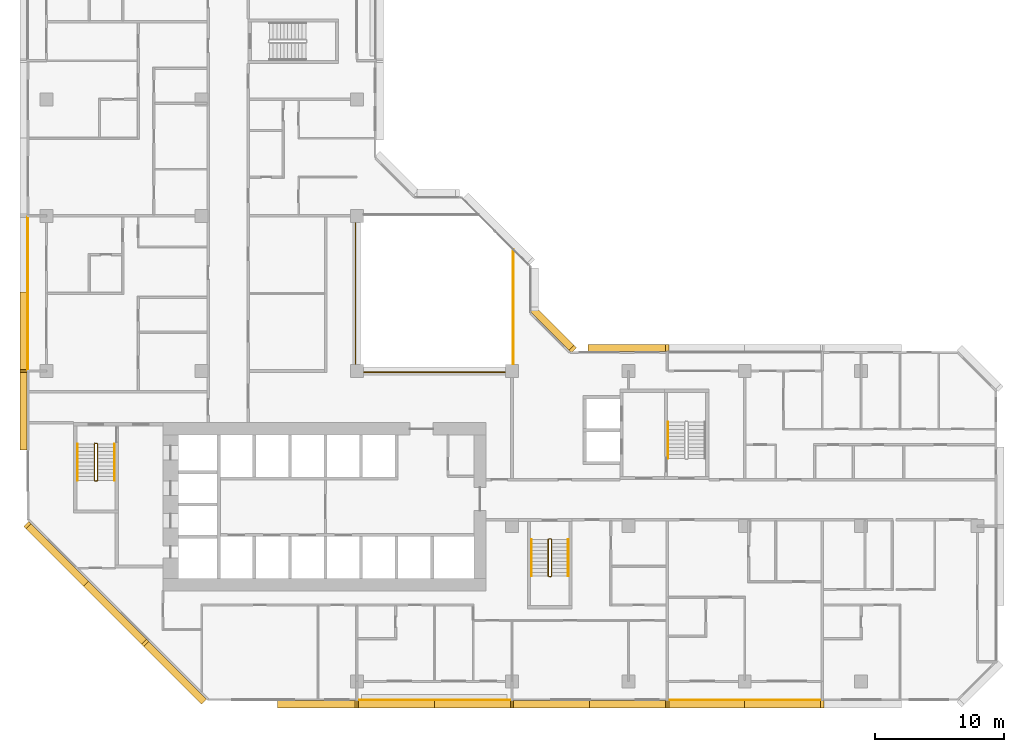
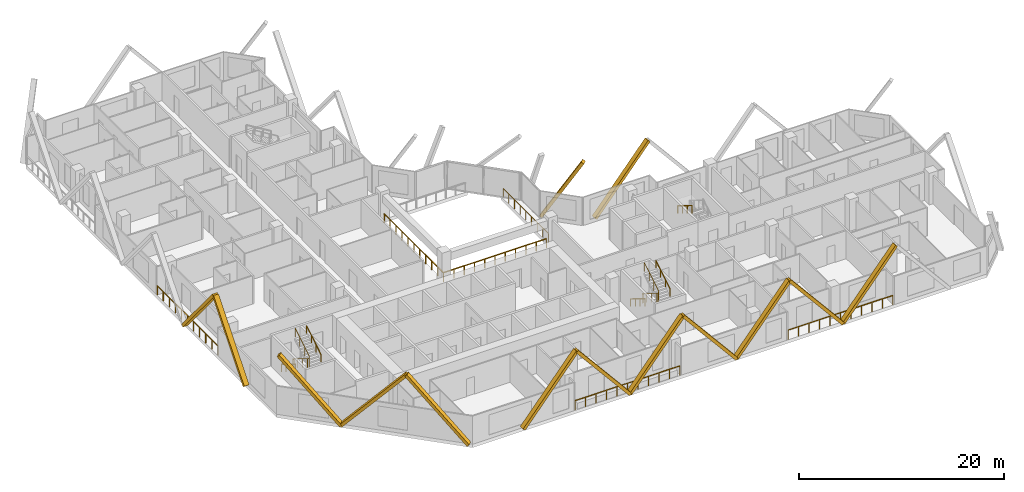
# One storey, part 13 of 14: 14 coverings, 12 railings.
"""IFC4 building model written with IfcOpenShell, lengths in metres."""

from ifc_helpers import new_model, si_unit, direction, frame, origin, origin_2d, place, context, subcontext, project, spatial, rectangle, extrude, material, material_profile, profile_set, type_object, element, save


model = new_model("IFC4")

# Units and contexts
model_context = context("Model", 3, precision=1e-05, world=origin(), true_north=direction((0.0, 1.0)))
body_context = subcontext(model_context, "Body", "Model", "MODEL_VIEW")
ifc_project = project(units=[si_unit("LENGTHUNIT", "METRE"), si_unit("AREAUNIT", "SQUARE_METRE"), si_unit("VOLUMEUNIT", "CUBIC_METRE"), si_unit("PLANEANGLEUNIT", "RADIAN"), si_unit("MASSUNIT", "GRAM", prefix="KILO")], contexts=[model_context])

# Site, building, storey
site_placement = place(None, origin())
site = spatial("IfcSite", under=ifc_project, at=site_placement, CompositionType="ELEMENT")
building_placement = place(site_placement, origin())
building = spatial("IfcBuilding", under=site, at=building_placement, Name="Chenar Terraces", CompositionType="ELEMENT")
storey_placement = place(building_placement, frame((0.0, 0.0, 91.89990234375)))
storey = spatial("IfcBuildingStorey", under=building, at=storey_placement, Name="L20", CompositionType="ELEMENT", Elevation=91.89990234375)

# Railings
ifc_material_1 = material(Name="Powder-coated steel", Category="steel")
railing_type_1 = type_object("IfcRailingType", Name="Guard 1100 steel rail with glass infill", PredefinedType="GUARDRAIL", material=ifc_material_1)
railing_1_placement = place(storey_placement, frame((23.89990234375, 35.5, 0.0)))
element("IfcRailing", 1, at=railing_1_placement, inside=storey, type_object=railing_type_1, Name="Guard L20-1", PredefinedType="GUARDRAIL", context=body_context, shape_type="SweptSolid", body=[
    extrude(rectangle(XDim=0.06005859375, YDim=0.06005859375, at=origin_2d()), frame((0.0, 0.0, 1.070068359375), z_axis=(0.0, -1.0, 0.0), x_axis=(1.0, 0.0, 0.0)), (0.0, 0.0, 1.0), 11.60009765625),
    extrude(rectangle(XDim=0.06005859375, YDim=0.06005859375, at=origin_2d()), frame((0.0, -11.60009765625, 1.070068359375), z_axis=(1.0, 0.0, 0.0), x_axis=(0.0, 1.0, 0.0)), (0.0, 0.0, 1.0), 11.60009765625),
    extrude(rectangle(XDim=0.050048828125, YDim=0.050048828125, at=origin_2d()), origin(), (0.0, 0.0, 1.0), 1.0400390625),
    extrude(rectangle(XDim=0.050048828125, YDim=0.050048828125, at=origin_2d()), frame((0.0, -1.159912109375, 0.0)), (0.0, 0.0, 1.0), 1.0400390625),
    extrude(rectangle(XDim=0.050048828125, YDim=0.050048828125, at=origin_2d()), frame((0.0, -2.320068359375, 0.0)), (0.0, 0.0, 1.0), 1.0400390625),
    extrude(rectangle(XDim=0.050048828125, YDim=0.050048828125, at=origin_2d()), frame((0.0, -3.47998046875, 0.0)), (0.0, 0.0, 1.0), 1.0400390625),
    extrude(rectangle(XDim=0.050048828125, YDim=0.050048828125, at=origin_2d()), frame((0.0, -4.64013671875, 0.0)), (0.0, 0.0, 1.0), 1.0400390625),
    extrude(rectangle(XDim=0.050048828125, YDim=0.050048828125, at=origin_2d()), frame((0.0, -5.800048828125, 0.0)), (0.0, 0.0, 1.0), 1.0400390625),
    extrude(rectangle(XDim=0.050048828125, YDim=0.050048828125, at=origin_2d()), frame((0.0, -6.9599609375, 0.0)), (0.0, 0.0, 1.0), 1.0400390625),
    extrude(rectangle(XDim=0.050048828125, YDim=0.050048828125, at=origin_2d()), frame((0.0, -8.1201171875, 0.0)), (0.0, 0.0, 1.0), 1.0400390625),
    extrude(rectangle(XDim=0.050048828125, YDim=0.050048828125, at=origin_2d()), frame((0.0, -9.280029296875, 0.0)), (0.0, 0.0, 1.0), 1.0400390625),
    extrude(rectangle(XDim=0.050048828125, YDim=0.050048828125, at=origin_2d()), frame((0.0, -10.440185546875, 0.0)), (0.0, 0.0, 1.0), 1.0400390625),
    extrude(rectangle(XDim=0.050048828125, YDim=0.050048828125, at=origin_2d()), frame((0.0, -11.60009765625, 0.0)), (0.0, 0.0, 1.0), 1.0400390625),
    extrude(rectangle(XDim=0.050048828125, YDim=0.050048828125, at=origin_2d()), frame((1.159912109375, -11.60009765625, 0.0)), (0.0, 0.0, 1.0), 1.0400390625),
    extrude(rectangle(XDim=0.050048828125, YDim=0.050048828125, at=origin_2d()), frame((2.320068359375, -11.60009765625, 0.0)), (0.0, 0.0, 1.0), 1.0400390625),
    extrude(rectangle(XDim=0.050048828125, YDim=0.050048828125, at=origin_2d()), frame((3.47998046875, -11.60009765625, 0.0)), (0.0, 0.0, 1.0), 1.0400390625),
    extrude(rectangle(XDim=0.050048828125, YDim=0.050048828125, at=origin_2d()), frame((4.64013671875, -11.60009765625, 0.0)), (0.0, 0.0, 1.0), 1.0400390625),
    extrude(rectangle(XDim=0.050048828125, YDim=0.050048828125, at=origin_2d()), frame((5.800048828125, -11.60009765625, 0.0)), (0.0, 0.0, 1.0), 1.0400390625),
    extrude(rectangle(XDim=0.050048828125, YDim=0.050048828125, at=origin_2d()), frame((6.9599609375, -11.60009765625, 0.0)), (0.0, 0.0, 1.0), 1.0400390625),
    extrude(rectangle(XDim=0.050048828125, YDim=0.050048828125, at=origin_2d()), frame((8.1201171875, -11.60009765625, 0.0)), (0.0, 0.0, 1.0), 1.0400390625),
    extrude(rectangle(XDim=0.050048828125, YDim=0.050048828125, at=origin_2d()), frame((9.280029296875, -11.60009765625, 0.0)), (0.0, 0.0, 1.0), 1.0400390625),
    extrude(rectangle(XDim=0.050048828125, YDim=0.050048828125, at=origin_2d()), frame((10.440185546875, -11.60009765625, 0.0)), (0.0, 0.0, 1.0), 1.0400390625),
    extrude(rectangle(XDim=0.050048828125, YDim=0.050048828125, at=origin_2d()), frame((11.60009765625, -11.60009765625, 0.0)), (0.0, 0.0, 1.0), 1.0400390625),
])
railing_2_placement = place(storey_placement, frame((36.10009765625, 24.550048828125, 0.0)))
element("IfcRailing", 2, at=railing_2_placement, inside=storey, type_object=railing_type_1, Name="Guard L20-3", PredefinedType="GUARDRAIL", context=body_context, shape_type="SweptSolid", body=[
    extrude(rectangle(XDim=0.06005859375, YDim=0.06005859375, at=origin_2d()), frame((0.0, 0.0, 1.070068359375), z_axis=(0.0, 1.0, 0.0), x_axis=(-1.0, 0.0, 0.0)), (0.0, 0.0, 1.0), 8.849853515625),
    extrude(rectangle(XDim=0.050048828125, YDim=0.050048828125, at=origin_2d()), origin(), (0.0, 0.0, 1.0), 1.0400390625),
    extrude(rectangle(XDim=0.050048828125, YDim=0.050048828125, at=origin_2d()), frame((0.0, 1.106201171875, 0.0)), (0.0, 0.0, 1.0), 1.0400390625),
    extrude(rectangle(XDim=0.050048828125, YDim=0.050048828125, at=origin_2d()), frame((0.0, 2.21240234375, 0.0)), (0.0, 0.0, 1.0), 1.0400390625),
    extrude(rectangle(XDim=0.050048828125, YDim=0.050048828125, at=origin_2d()), frame((0.0, 3.318603515625, 0.0)), (0.0, 0.0, 1.0), 1.0400390625),
    extrude(rectangle(XDim=0.050048828125, YDim=0.050048828125, at=origin_2d()), frame((0.0, 4.4248046875, 0.0)), (0.0, 0.0, 1.0), 1.0400390625),
    extrude(rectangle(XDim=0.050048828125, YDim=0.050048828125, at=origin_2d()), frame((0.0, 5.53125, 0.0)), (0.0, 0.0, 1.0), 1.0400390625),
    extrude(rectangle(XDim=0.050048828125, YDim=0.050048828125, at=origin_2d()), frame((0.0, 6.637451171875, 0.0)), (0.0, 0.0, 1.0), 1.0400390625),
    extrude(rectangle(XDim=0.050048828125, YDim=0.050048828125, at=origin_2d()), frame((0.0, 7.74365234375, 0.0)), (0.0, 0.0, 1.0), 1.0400390625),
    extrude(rectangle(XDim=0.050048828125, YDim=0.050048828125, at=origin_2d()), frame((0.0, 8.849853515625, 0.0)), (0.0, 0.0, 1.0), 1.0400390625),
])
ifc_material_2 = material(Name="Stainless steel and glass", Category="steel")
railing_type_2 = type_object("IfcRailingType", Name="Loggia guard 1150", PredefinedType="GUARDRAIL", material=ifc_material_2)
railing_3_placement = place(storey_placement, frame((24.074951171875, -1.449951171875, 0.0)))
element("IfcRailing", 3, at=railing_3_placement, inside=storey, type_object=railing_type_2, Name="Loggia guard", PredefinedType="GUARDRAIL", context=body_context, shape_type="SweptSolid", body=[
    extrude(rectangle(XDim=0.048095703125, YDim=0.048095703125, at=origin_2d()), frame((0.0, 0.0, 1.1259765625), z_axis=(1.0, 0.0, 0.0), x_axis=(0.0, 1.0, 0.0)), (0.0, 0.0, 1.0), 11.85009765625),
    extrude(rectangle(XDim=0.0419921875, YDim=0.0419921875, at=origin_2d()), origin(), (0.0, 0.0, 1.0), 1.101806640625),
    extrude(rectangle(XDim=0.0419921875, YDim=0.0419921875, at=origin_2d()), frame((1.18505859375, 0.0, 0.0)), (0.0, 0.0, 1.0), 1.101806640625),
    extrude(rectangle(XDim=0.0419921875, YDim=0.0419921875, at=origin_2d()), frame((2.3701171875, 0.0, 0.0)), (0.0, 0.0, 1.0), 1.101806640625),
    extrude(rectangle(XDim=0.0419921875, YDim=0.0419921875, at=origin_2d()), frame((3.554931640625, 0.0, 0.0)), (0.0, 0.0, 1.0), 1.101806640625),
    extrude(rectangle(XDim=0.0419921875, YDim=0.0419921875, at=origin_2d()), frame((4.739990234375, 0.0, 0.0)), (0.0, 0.0, 1.0), 1.101806640625),
    extrude(rectangle(XDim=0.0419921875, YDim=0.0419921875, at=origin_2d()), frame((5.925048828125, 0.0, 0.0)), (0.0, 0.0, 1.0), 1.101806640625),
    extrude(rectangle(XDim=0.0419921875, YDim=0.0419921875, at=origin_2d()), frame((7.110107421875, 0.0, 0.0)), (0.0, 0.0, 1.0), 1.101806640625),
    extrude(rectangle(XDim=0.0419921875, YDim=0.0419921875, at=origin_2d()), frame((8.295166015625, 0.0, 0.0)), (0.0, 0.0, 1.0), 1.101806640625),
    extrude(rectangle(XDim=0.0419921875, YDim=0.0419921875, at=origin_2d()), frame((9.47998046875, 0.0, 0.0)), (0.0, 0.0, 1.0), 1.101806640625),
    extrude(rectangle(XDim=0.0419921875, YDim=0.0419921875, at=origin_2d()), frame((10.6650390625, 0.0, 0.0)), (0.0, 0.0, 1.0), 1.101806640625),
    extrude(rectangle(XDim=0.0419921875, YDim=0.0419921875, at=origin_2d()), frame((11.85009765625, 0.0, 0.0)), (0.0, 0.0, 1.0), 1.101806640625),
])
railing_4_placement = place(storey_placement, frame((48.074951171875, -1.449951171875, 0.0)))
element("IfcRailing", 4, at=railing_4_placement, inside=storey, type_object=railing_type_2, Name="Loggia guard", PredefinedType="GUARDRAIL", context=body_context, shape_type="SweptSolid", body=[
    extrude(rectangle(XDim=0.048095703125, YDim=0.048095703125, at=origin_2d()), frame((0.0, 0.0, 1.1259765625), z_axis=(1.0, 0.0, 0.0), x_axis=(0.0, 1.0, 0.0)), (0.0, 0.0, 1.0), 11.85009765625),
    extrude(rectangle(XDim=0.0419921875, YDim=0.0419921875, at=origin_2d()), origin(), (0.0, 0.0, 1.0), 1.101806640625),
    extrude(rectangle(XDim=0.0419921875, YDim=0.0419921875, at=origin_2d()), frame((1.18505859375, 0.0, 0.0)), (0.0, 0.0, 1.0), 1.101806640625),
    extrude(rectangle(XDim=0.0419921875, YDim=0.0419921875, at=origin_2d()), frame((2.3701171875, 0.0, 0.0)), (0.0, 0.0, 1.0), 1.101806640625),
    extrude(rectangle(XDim=0.0419921875, YDim=0.0419921875, at=origin_2d()), frame((3.554931640625, 0.0, 0.0)), (0.0, 0.0, 1.0), 1.101806640625),
    extrude(rectangle(XDim=0.0419921875, YDim=0.0419921875, at=origin_2d()), frame((4.739990234375, 0.0, 0.0)), (0.0, 0.0, 1.0), 1.101806640625),
    extrude(rectangle(XDim=0.0419921875, YDim=0.0419921875, at=origin_2d()), frame((5.925048828125, 0.0, 0.0)), (0.0, 0.0, 1.0), 1.101806640625),
    extrude(rectangle(XDim=0.0419921875, YDim=0.0419921875, at=origin_2d()), frame((7.110107421875, 0.0, 0.0)), (0.0, 0.0, 1.0), 1.101806640625),
    extrude(rectangle(XDim=0.0419921875, YDim=0.0419921875, at=origin_2d()), frame((8.295166015625, 0.0, 0.0)), (0.0, 0.0, 1.0), 1.101806640625),
    extrude(rectangle(XDim=0.0419921875, YDim=0.0419921875, at=origin_2d()), frame((9.47998046875, 0.0, 0.0)), (0.0, 0.0, 1.0), 1.101806640625),
    extrude(rectangle(XDim=0.0419921875, YDim=0.0419921875, at=origin_2d()), frame((10.6650390625, 0.0, 0.0)), (0.0, 0.0, 1.0), 1.101806640625),
    extrude(rectangle(XDim=0.0419921875, YDim=0.0419921875, at=origin_2d()), frame((11.85009765625, 0.0, 0.0)), (0.0, 0.0, 1.0), 1.101806640625),
])
railing_5_placement = place(storey_placement, frame((-1.449951171875, 35.925048828125, 0.0)))
element("IfcRailing", 5, at=railing_5_placement, inside=storey, type_object=railing_type_2, Name="Loggia guard", PredefinedType="GUARDRAIL", context=body_context, shape_type="SweptSolid", body=[
    extrude(rectangle(XDim=0.048095703125, YDim=0.048095703125, at=origin_2d()), frame((0.0, 0.0, 1.1259765625), z_axis=(0.0, -1.0, 0.0), x_axis=(1.0, 0.0, 0.0)), (0.0, 0.0, 1.0), 11.85009765625),
    extrude(rectangle(XDim=0.0419921875, YDim=0.0419921875, at=origin_2d()), origin(), (0.0, 0.0, 1.0), 1.101806640625),
    extrude(rectangle(XDim=0.0419921875, YDim=0.0419921875, at=origin_2d()), frame((0.0, -1.18505859375, 0.0)), (0.0, 0.0, 1.0), 1.101806640625),
    extrude(rectangle(XDim=0.0419921875, YDim=0.0419921875, at=origin_2d()), frame((0.0, -2.3701171875, 0.0)), (0.0, 0.0, 1.0), 1.101806640625),
    extrude(rectangle(XDim=0.0419921875, YDim=0.0419921875, at=origin_2d()), frame((0.0, -3.554931640625, 0.0)), (0.0, 0.0, 1.0), 1.101806640625),
    extrude(rectangle(XDim=0.0419921875, YDim=0.0419921875, at=origin_2d()), frame((0.0, -4.739990234375, 0.0)), (0.0, 0.0, 1.0), 1.101806640625),
    extrude(rectangle(XDim=0.0419921875, YDim=0.0419921875, at=origin_2d()), frame((0.0, -5.925048828125, 0.0)), (0.0, 0.0, 1.0), 1.101806640625),
    extrude(rectangle(XDim=0.0419921875, YDim=0.0419921875, at=origin_2d()), frame((0.0, -7.110107421875, 0.0)), (0.0, 0.0, 1.0), 1.101806640625),
    extrude(rectangle(XDim=0.0419921875, YDim=0.0419921875, at=origin_2d()), frame((0.0, -8.295166015625, 0.0)), (0.0, 0.0, 1.0), 1.101806640625),
    extrude(rectangle(XDim=0.0419921875, YDim=0.0419921875, at=origin_2d()), frame((0.0, -9.47998046875, 0.0)), (0.0, 0.0, 1.0), 1.101806640625),
    extrude(rectangle(XDim=0.0419921875, YDim=0.0419921875, at=origin_2d()), frame((0.0, -10.6650390625, 0.0)), (0.0, 0.0, 1.0), 1.101806640625),
    extrude(rectangle(XDim=0.0419921875, YDim=0.0419921875, at=origin_2d()), frame((0.0, -11.85009765625, 0.0)), (0.0, 0.0, 1.0), 1.101806640625),
])
ifc_material_3 = material(Name="Powder-coated steel", Category="steel")
railing_type_3 = type_object("IfcRailingType", Name="Stair guard 1100", PredefinedType="GUARDRAIL", material=ifc_material_3)
railing_6_placement = place(storey_placement, frame((3.949951171875, 18.35009765625, 3.75)))
element("IfcRailing", 6, at=railing_6_placement, inside=storey, type_object=railing_type_3, Name="L20 ST1 stair guard 1", PredefinedType="GUARDRAIL", context=body_context, shape_type="SweptSolid", body=[
    extrude(rectangle(XDim=0.048095703125, YDim=0.048095703125, at=origin_2d()), frame((0.0, 0.0, 1.076171875), z_axis=(0.0, -0.854202870247, -0.519939858505), x_axis=(1.0, 0.0, 0.0)), (0.0, 0.0, 1.0), 3.278076171875),
    extrude(rectangle(XDim=0.048095703125, YDim=0.048095703125, at=origin_2d()), frame((0.0, -2.800048828125, -0.62841796875), z_axis=(-0.270899902878, -0.270899902878, -0.923702595667), x_axis=(0.707106781187, -0.707106781187, 0.0)), (0.0, 0.0, 1.0), 0.184814453125),
    extrude(rectangle(XDim=0.048095703125, YDim=0.048095703125, at=origin_2d()), frame((-0.050048828125, -2.85009765625, -0.798828125), z_axis=(-1.0, 0.0, 0.0), x_axis=(0.0, -1.0, 0.0)), (0.0, 0.0, 1.0), 0.14990234375),
    extrude(rectangle(XDim=0.048095703125, YDim=0.048095703125, at=origin_2d()), frame((-0.199951171875, -2.85009765625, -0.798828125), z_axis=(-0.707106781187, 0.707106781187, 0.0), x_axis=(-0.707106781187, -0.707106781187, 0.0)), (0.0, 0.0, 1.0), 0.07080078125),
    extrude(rectangle(XDim=0.048095703125, YDim=0.048095703125, at=origin_2d()), frame((-0.25, -2.800048828125, -0.798828125), z_axis=(0.0, 0.854202870247, -0.519939858505), x_axis=(-1.0, 0.0, 0.0)), (0.0, 0.0, 1.0), 3.278076171875),
    extrude(rectangle(XDim=0.048095703125, YDim=0.048095703125, at=origin_2d()), frame((-0.25, 0.0, -2.50341796875), z_axis=(0.270996696079, 0.269674760976, -0.924032636873), x_axis=(-0.705375805398, 0.708833529934, 0.0)), (0.0, 0.0, 1.0), 0.1845703125),
    extrude(rectangle(XDim=0.048095703125, YDim=0.048095703125, at=origin_2d()), frame((-0.199951171875, 0.0498046875, -2.673828125), z_axis=(1.0, 0.0, 0.0), x_axis=(0.0, 1.0, 0.0)), (0.0, 0.0, 1.0), 0.14990234375),
    extrude(rectangle(XDim=0.0419921875, YDim=0.0419921875, at=origin_2d()), origin(), (0.0, 0.0, 1.0), 1.052001953125),
    extrude(rectangle(XDim=0.0419921875, YDim=0.0419921875, at=origin_2d()), frame((0.0, -0.933349609375, -0.568115234375)), (0.0, 0.0, 1.0), 1.052001953125),
    extrude(rectangle(XDim=0.0419921875, YDim=0.0419921875, at=origin_2d()), frame((0.0, -1.86669921875, -1.13623046875)), (0.0, 0.0, 1.0), 1.052001953125),
    extrude(rectangle(XDim=0.0419921875, YDim=0.0419921875, at=origin_2d()), frame((0.0, -2.800048828125, -1.704345703125)), (0.0, 0.0, 1.0), 1.052001953125),
    extrude(rectangle(XDim=0.0419921875, YDim=0.0419921875, at=origin_2d()), frame((-0.050048828125, -2.85009765625, -1.875)), (0.0, 0.0, 1.0), 1.052001953125),
    extrude(rectangle(XDim=0.0419921875, YDim=0.0419921875, at=origin_2d()), frame((-0.199951171875, -2.85009765625, -1.875)), (0.0, 0.0, 1.0), 1.052001953125),
    extrude(rectangle(XDim=0.0419921875, YDim=0.0419921875, at=origin_2d()), frame((-0.25, -2.800048828125, -1.875)), (0.0, 0.0, 1.0), 1.052001953125),
    extrude(rectangle(XDim=0.0419921875, YDim=0.0419921875, at=origin_2d()), frame((-0.25, -1.86669921875, -2.443115234375)), (0.0, 0.0, 1.0), 1.052001953125),
    extrude(rectangle(XDim=0.0419921875, YDim=0.0419921875, at=origin_2d()), frame((-0.25, -0.933349609375, -3.01123046875)), (0.0, 0.0, 1.0), 1.052001953125),
    extrude(rectangle(XDim=0.0419921875, YDim=0.0419921875, at=origin_2d()), frame((-0.25, 0.0, -3.579345703125)), (0.0, 0.0, 1.0), 1.052001953125),
    extrude(rectangle(XDim=0.0419921875, YDim=0.0419921875, at=origin_2d()), frame((-0.199951171875, 0.0498046875, -3.75)), (0.0, 0.0, 1.0), 1.052001953125),
    extrude(rectangle(XDim=0.0419921875, YDim=0.0419921875, at=origin_2d()), frame((-0.050048828125, 0.0498046875, -3.75)), (0.0, 0.0, 1.0), 1.052001953125),
])
railing_7_placement = place(storey_placement, frame((39.050048828125, 10.949951171875, 3.75)))
element("IfcRailing", 7, at=railing_7_placement, inside=storey, type_object=railing_type_3, Name="L20 ST2 stair guard 1", PredefinedType="GUARDRAIL", context=body_context, shape_type="SweptSolid", body=[
    extrude(rectangle(XDim=0.048095703125, YDim=0.048095703125, at=origin_2d()), frame((0.0, 0.0, 1.076171875), z_axis=(0.0, -0.854202870247, -0.519939858505), x_axis=(1.0, 0.0, 0.0)), (0.0, 0.0, 1.0), 3.278076171875),
    extrude(rectangle(XDim=0.048095703125, YDim=0.048095703125, at=origin_2d()), frame((0.0, -2.800048828125, -0.62841796875), z_axis=(-0.270996696079, -0.269674760976, -0.924032636873), x_axis=(0.705375805398, -0.708833529934, 0.0)), (0.0, 0.0, 1.0), 0.1845703125),
    extrude(rectangle(XDim=0.048095703125, YDim=0.048095703125, at=origin_2d()), frame((-0.050048828125, -2.849853515625, -0.798828125), z_axis=(-1.0, 0.0, 0.0), x_axis=(0.0, -1.0, 0.0)), (0.0, 0.0, 1.0), 0.14990234375),
    extrude(rectangle(XDim=0.048095703125, YDim=0.048095703125, at=origin_2d()), frame((-0.199951171875, -2.849853515625, -0.798828125), z_axis=(-0.708833529934, 0.705375805398, 0.0), x_axis=(-0.705375805398, -0.708833529934, 0.0)), (0.0, 0.0, 1.0), 0.070556640625),
    extrude(rectangle(XDim=0.048095703125, YDim=0.048095703125, at=origin_2d()), frame((-0.25, -2.800048828125, -0.798828125), z_axis=(0.0, 0.854202870247, -0.519939858505), x_axis=(-1.0, 0.0, 0.0)), (0.0, 0.0, 1.0), 3.278076171875),
    extrude(rectangle(XDim=0.048095703125, YDim=0.048095703125, at=origin_2d()), frame((-0.25, 0.0, -2.50341796875), z_axis=(0.270899902878, 0.270899902878, -0.923702595667), x_axis=(-0.707106781187, 0.707106781187, 0.0)), (0.0, 0.0, 1.0), 0.184814453125),
    extrude(rectangle(XDim=0.048095703125, YDim=0.048095703125, at=origin_2d()), frame((-0.199951171875, 0.050048828125, -2.673828125), z_axis=(1.0, 0.0, 0.0), x_axis=(0.0, 1.0, 0.0)), (0.0, 0.0, 1.0), 0.14990234375),
    extrude(rectangle(XDim=0.0419921875, YDim=0.0419921875, at=origin_2d()), origin(), (0.0, 0.0, 1.0), 1.052001953125),
    extrude(rectangle(XDim=0.0419921875, YDim=0.0419921875, at=origin_2d()), frame((0.0, -0.933349609375, -0.568115234375)), (0.0, 0.0, 1.0), 1.052001953125),
    extrude(rectangle(XDim=0.0419921875, YDim=0.0419921875, at=origin_2d()), frame((0.0, -1.86669921875, -1.13623046875)), (0.0, 0.0, 1.0), 1.052001953125),
    extrude(rectangle(XDim=0.0419921875, YDim=0.0419921875, at=origin_2d()), frame((0.0, -2.800048828125, -1.704345703125)), (0.0, 0.0, 1.0), 1.052001953125),
    extrude(rectangle(XDim=0.0419921875, YDim=0.0419921875, at=origin_2d()), frame((-0.050048828125, -2.849853515625, -1.875)), (0.0, 0.0, 1.0), 1.052001953125),
    extrude(rectangle(XDim=0.0419921875, YDim=0.0419921875, at=origin_2d()), frame((-0.199951171875, -2.849853515625, -1.875)), (0.0, 0.0, 1.0), 1.052001953125),
    extrude(rectangle(XDim=0.0419921875, YDim=0.0419921875, at=origin_2d()), frame((-0.25, -2.800048828125, -1.875)), (0.0, 0.0, 1.0), 1.052001953125),
    extrude(rectangle(XDim=0.0419921875, YDim=0.0419921875, at=origin_2d()), frame((-0.25, -1.86669921875, -2.443115234375)), (0.0, 0.0, 1.0), 1.052001953125),
    extrude(rectangle(XDim=0.0419921875, YDim=0.0419921875, at=origin_2d()), frame((-0.25, -0.933349609375, -3.01123046875)), (0.0, 0.0, 1.0), 1.052001953125),
    extrude(rectangle(XDim=0.0419921875, YDim=0.0419921875, at=origin_2d()), frame((-0.25, 0.0, -3.579345703125)), (0.0, 0.0, 1.0), 1.052001953125),
    extrude(rectangle(XDim=0.0419921875, YDim=0.0419921875, at=origin_2d()), frame((-0.199951171875, 0.050048828125, -3.75)), (0.0, 0.0, 1.0), 1.052001953125),
    extrude(rectangle(XDim=0.0419921875, YDim=0.0419921875, at=origin_2d()), frame((-0.050048828125, 0.050048828125, -3.75)), (0.0, 0.0, 1.0), 1.052001953125),
])
ifc_material_4 = material(Name="Powder-coated steel", Category="steel")
railing_type_4 = type_object("IfcRailingType", Name="Stair handrail 900", PredefinedType="HANDRAIL", material=ifc_material_4)
railing_8_placement = place(storey_placement, frame((2.39990234375, 18.35009765625, 0.170654296875)))
element("IfcRailing", 8, at=railing_8_placement, inside=storey, type_object=railing_type_4, Name="L20 ST1 stair handrail 1", PredefinedType="HANDRAIL", context=body_context, shape_type="SweptSolid", body=[
    extrude(rectangle(XDim=0.048095703125, YDim=0.048095703125, at=origin_2d()), frame((0.0, 0.0, 0.8759765625), z_axis=(0.0, -0.854202870247, 0.519939858505), x_axis=(1.0, 0.0, 0.0)), (0.0, 0.0, 1.0), 3.278076171875),
    extrude(rectangle(XDim=0.0419921875, YDim=0.0419921875, at=origin_2d()), origin(), (0.0, 0.0, 1.0), 0.851806640625),
    extrude(rectangle(XDim=0.0419921875, YDim=0.0419921875, at=origin_2d()), frame((0.0, -0.933349609375, 0.568115234375)), (0.0, 0.0, 1.0), 0.851806640625),
    extrude(rectangle(XDim=0.0419921875, YDim=0.0419921875, at=origin_2d()), frame((0.0, -1.86669921875, 1.13623046875)), (0.0, 0.0, 1.0), 0.851806640625),
    extrude(rectangle(XDim=0.0419921875, YDim=0.0419921875, at=origin_2d()), frame((0.0, -2.800048828125, 1.704345703125)), (0.0, 0.0, 1.0), 0.851806640625),
])
railing_9_placement = place(storey_placement, frame((5.25, 15.550048828125, 2.045654296875)))
element("IfcRailing", 9, at=railing_9_placement, inside=storey, type_object=railing_type_4, Name="L20 ST1 stair handrail 2", PredefinedType="HANDRAIL", context=body_context, shape_type="SweptSolid", body=[
    extrude(rectangle(XDim=0.048095703125, YDim=0.048095703125, at=origin_2d()), frame((0.0, 0.0, 0.8759765625), z_axis=(0.0, 0.854202870247, 0.519939858505), x_axis=(-1.0, 0.0, 0.0)), (0.0, 0.0, 1.0), 3.278076171875),
    extrude(rectangle(XDim=0.0419921875, YDim=0.0419921875, at=origin_2d()), origin(), (0.0, 0.0, 1.0), 0.851806640625),
    extrude(rectangle(XDim=0.0419921875, YDim=0.0419921875, at=origin_2d()), frame((0.0, 0.933349609375, 0.568115234375)), (0.0, 0.0, 1.0), 0.851806640625),
    extrude(rectangle(XDim=0.0419921875, YDim=0.0419921875, at=origin_2d()), frame((0.0, 1.86669921875, 1.13623046875)), (0.0, 0.0, 1.0), 0.851806640625),
    extrude(rectangle(XDim=0.0419921875, YDim=0.0419921875, at=origin_2d()), frame((0.0, 2.800048828125, 1.704345703125)), (0.0, 0.0, 1.0), 0.851806640625),
])
railing_10_placement = place(storey_placement, frame((37.5, 10.949951171875, 0.170654296875)))
element("IfcRailing", 10, at=railing_10_placement, inside=storey, type_object=railing_type_4, Name="L20 ST2 stair handrail 1", PredefinedType="HANDRAIL", context=body_context, shape_type="SweptSolid", body=[
    extrude(rectangle(XDim=0.048095703125, YDim=0.048095703125, at=origin_2d()), frame((0.0, 0.0, 0.8759765625), z_axis=(0.0, -0.854202870247, 0.519939858505), x_axis=(1.0, 0.0, 0.0)), (0.0, 0.0, 1.0), 3.278076171875),
    extrude(rectangle(XDim=0.0419921875, YDim=0.0419921875, at=origin_2d()), origin(), (0.0, 0.0, 1.0), 0.851806640625),
    extrude(rectangle(XDim=0.0419921875, YDim=0.0419921875, at=origin_2d()), frame((0.0, -0.933349609375, 0.568115234375)), (0.0, 0.0, 1.0), 0.851806640625),
    extrude(rectangle(XDim=0.0419921875, YDim=0.0419921875, at=origin_2d()), frame((0.0, -1.86669921875, 1.13623046875)), (0.0, 0.0, 1.0), 0.851806640625),
    extrude(rectangle(XDim=0.0419921875, YDim=0.0419921875, at=origin_2d()), frame((0.0, -2.800048828125, 1.704345703125)), (0.0, 0.0, 1.0), 0.851806640625),
])
railing_11_placement = place(storey_placement, frame((40.35009765625, 8.14990234375, 2.045654296875)))
element("IfcRailing", 11, at=railing_11_placement, inside=storey, type_object=railing_type_4, Name="L20 ST2 stair handrail 2", PredefinedType="HANDRAIL", context=body_context, shape_type="SweptSolid", body=[
    extrude(rectangle(XDim=0.048095703125, YDim=0.048095703125, at=origin_2d()), frame((0.0, 0.0, 0.8759765625), z_axis=(0.0, 0.854202870247, 0.519939858505), x_axis=(-1.0, 0.0, 0.0)), (0.0, 0.0, 1.0), 3.278076171875),
    extrude(rectangle(XDim=0.0419921875, YDim=0.0419921875, at=origin_2d()), origin(), (0.0, 0.0, 1.0), 0.851806640625),
    extrude(rectangle(XDim=0.0419921875, YDim=0.0419921875, at=origin_2d()), frame((0.0, 0.933349609375, 0.568115234375)), (0.0, 0.0, 1.0), 0.851806640625),
    extrude(rectangle(XDim=0.0419921875, YDim=0.0419921875, at=origin_2d()), frame((0.0, 1.86669921875, 1.13623046875)), (0.0, 0.0, 1.0), 0.851806640625),
    extrude(rectangle(XDim=0.0419921875, YDim=0.0419921875, at=origin_2d()), frame((0.0, 2.800048828125, 1.704345703125)), (0.0, 0.0, 1.0), 0.851806640625),
])
railing_12_placement = place(storey_placement, frame((48.074951171875, 20.050048828125, 2.045654296875)))
element("IfcRailing", 12, at=railing_12_placement, inside=storey, type_object=railing_type_4, Name="L20 ST3 stair handrail 2", PredefinedType="HANDRAIL", context=body_context, shape_type="SweptSolid", body=[
    extrude(rectangle(XDim=0.048095703125, YDim=0.048095703125, at=origin_2d()), frame((0.0, 0.0, 0.8759765625), z_axis=(0.0, -0.854202870247, 0.519939858505), x_axis=(1.0, 0.0, 0.0)), (0.0, 0.0, 1.0), 3.278076171875),
    extrude(rectangle(XDim=0.0419921875, YDim=0.0419921875, at=origin_2d()), origin(), (0.0, 0.0, 1.0), 0.851806640625),
    extrude(rectangle(XDim=0.0419921875, YDim=0.0419921875, at=origin_2d()), frame((0.0, -0.933349609375, 0.568115234375)), (0.0, 0.0, 1.0), 0.851806640625),
    extrude(rectangle(XDim=0.0419921875, YDim=0.0419921875, at=origin_2d()), frame((0.0, -1.86669921875, 1.13623046875)), (0.0, 0.0, 1.0), 0.851806640625),
    extrude(rectangle(XDim=0.0419921875, YDim=0.0419921875, at=origin_2d()), frame((0.0, -2.800048828125, 1.704345703125)), (0.0, 0.0, 1.0), 0.851806640625),
])

# Coverings
ifc_material_5 = material(Name="Terracotta", Category="masonry")
ifc_material_profile = material_profile(ifc_material_5, rectangle(XDim=0.550048828125, YDim=0.330078125, at=origin_2d()), Name="Terracotta baguette 550 x 330")
ifc_profile_set = profile_set([ifc_material_profile], Name="Terracotta")
covering_type = type_object("IfcCoveringType", Name="Terracotta baguette 550 x 330", PredefinedType="CLADDING", material=ifc_profile_set)
covering_1_placement = place(storey_placement, frame((48.0, 25.77490234375, 7.35009765625), z_axis=(-0.640186961885, 0.0, -0.768219144407), x_axis=(0.0, -1.0, 0.0)))
element("IfcCovering", 13, at=covering_1_placement, inside=storey, type_object=covering_type, Name="Terracotta baguette", PredefinedType="CLADDING", context=body_context, shape_type="SweptSolid", body=[
    extrude(rectangle(XDim=0.550048828125, YDim=0.330078125, at=origin_2d()), origin(), (0.0, 0.0, 1.0), 9.372314453125),
])
covering_2_placement = place(storey_placement, frame((40.6943359375, 25.6943359375, 7.35009765625), z_axis=(-0.358955436736, 0.358984650982, -0.861557319507), x_axis=(-0.70713555402, -0.707078007182, 0.0)))
element("IfcCovering", 14, at=covering_2_placement, inside=storey, type_object=covering_type, Name="Terracotta baguette", PredefinedType="CLADDING", context=body_context, shape_type="SweptSolid", body=[
    extrude(rectangle(XDim=0.550048828125, YDim=0.330078125, at=origin_2d()), origin(), (0.0, 0.0, 1.0), 8.35693359375),
])
for number, where, z_axis, x_axis, name in (
    (15, (-1.77490234375, 30.0, 0.150146484375), (0.0, -0.640186961885, 0.768219144407), (1.0, 0.0, 0.0), "Terracotta baguette"),
    (16, (-1.77490234375, 24.0, 7.35009765625), (0.0, -0.640186961885, -0.768219144407), (1.0, 0.0, 0.0), "Terracotta baguette"),
):
    element("IfcCovering", number, at=place(storey_placement, frame(where, z_axis=z_axis, x_axis=x_axis)), inside=storey, type_object=covering_type, Name=name, PredefinedType="CLADDING", context=body_context, shape_type="SweptSolid", body=[
        extrude(rectangle(XDim=0.550048828125, YDim=0.330078125, at=origin_2d()), origin(), (0.0, 0.0, 1.0), 9.372314453125),
    ])
covering_3_placement = place(storey_placement, frame((-1.482421875, 12.093505859375, 7.35009765625), z_axis=(0.465624035565, -0.465624035565, -0.752587878595), x_axis=(0.707106781187, 0.707106781187, 0.0)))
element("IfcCovering", 17, at=covering_3_placement, inside=storey, type_object=covering_type, Name="Terracotta baguette", PredefinedType="CLADDING", context=body_context, shape_type="SweptSolid", body=[
    extrude(rectangle(XDim=0.550048828125, YDim=0.330078125, at=origin_2d()), origin(), (0.0, 0.0, 1.0), 9.56689453125),
])
covering_4_placement = place(storey_placement, frame((2.97216796875, 7.638916015625, 0.150146484375), z_axis=(0.477802509271, -0.477802509271, 0.73716315987), x_axis=(0.707106781187, 0.707106781187, 0.0)))
element("IfcCovering", 18, at=covering_4_placement, inside=storey, type_object=covering_type, Name="Terracotta baguette", PredefinedType="CLADDING", context=body_context, shape_type="SweptSolid", body=[
    extrude(rectangle(XDim=0.550048828125, YDim=0.330078125, at=origin_2d()), origin(), (0.0, 0.0, 1.0), 9.76708984375),
])
covering_5_placement = place(storey_placement, frame((7.638916015625, 2.97216796875, 7.35009765625), z_axis=(0.465624035565, -0.465624035565, -0.752587878595), x_axis=(0.707106781187, 0.707106781187, 0.0)))
element("IfcCovering", 19, at=covering_5_placement, inside=storey, type_object=covering_type, Name="Terracotta baguette", PredefinedType="CLADDING", context=body_context, shape_type="SweptSolid", body=[
    extrude(rectangle(XDim=0.550048828125, YDim=0.330078125, at=origin_2d()), origin(), (0.0, 0.0, 1.0), 9.56689453125),
])
for number, where, z_axis, x_axis, name in (
    (20, (18.0, -1.77490234375, 0.150146484375), (0.640186961885, 0.0, 0.768219144407), (0.0, 1.0, 0.0), "Terracotta baguette"),
    (21, (24.0, -1.77490234375, 7.35009765625), (0.640186961885, 0.0, -0.768219144407), (0.0, 1.0, 0.0), "Terracotta baguette"),
    (22, (30.0, -1.77490234375, 0.150146484375), (0.640186961885, 0.0, 0.768219144407), (0.0, 1.0, 0.0), "Terracotta baguette"),
    (23, (36.0, -1.77490234375, 7.35009765625), (0.640186961885, 0.0, -0.768219144407), (0.0, 1.0, 0.0), "Terracotta baguette"),
    (24, (42.0, -1.77490234375, 0.150146484375), (0.640186961885, 0.0, 0.768219144407), (0.0, 1.0, 0.0), "Terracotta baguette"),
    (25, (48.0, -1.77490234375, 7.35009765625), (0.640186961885, 0.0, -0.768219144407), (0.0, 1.0, 0.0), "Terracotta baguette"),
    (26, (54.0, -1.77490234375, 0.150146484375), (0.640186961885, 0.0, 0.768219144407), (0.0, 1.0, 0.0), "Terracotta baguette"),
):
    element("IfcCovering", number, at=place(storey_placement, frame(where, z_axis=z_axis, x_axis=x_axis)), inside=storey, type_object=covering_type, Name=name, PredefinedType="CLADDING", context=body_context, shape_type="SweptSolid", body=[
        extrude(rectangle(XDim=0.550048828125, YDim=0.330078125, at=origin_2d()), origin(), (0.0, 0.0, 1.0), 9.372314453125),
    ])

save(model, "model.ifc")
